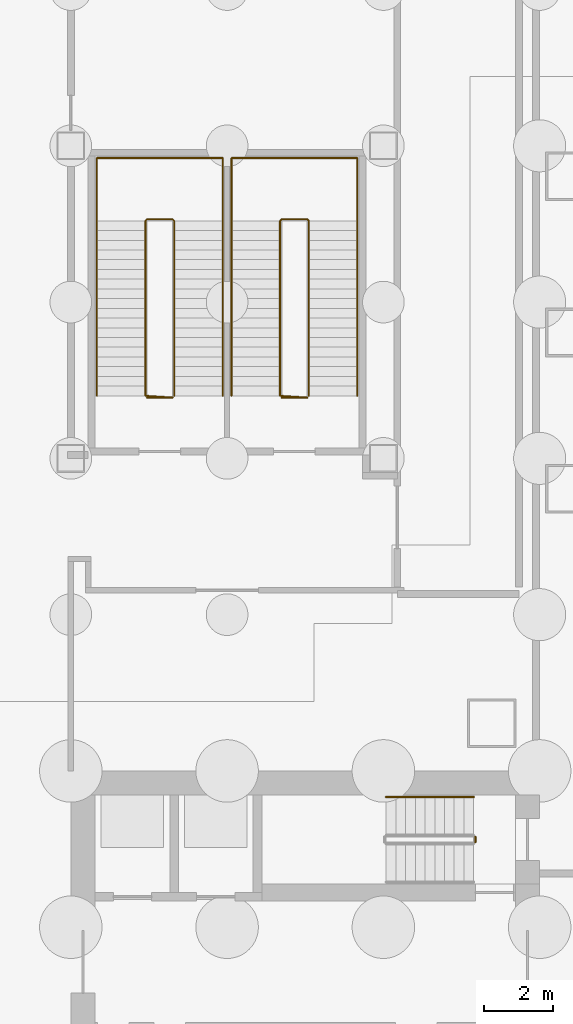
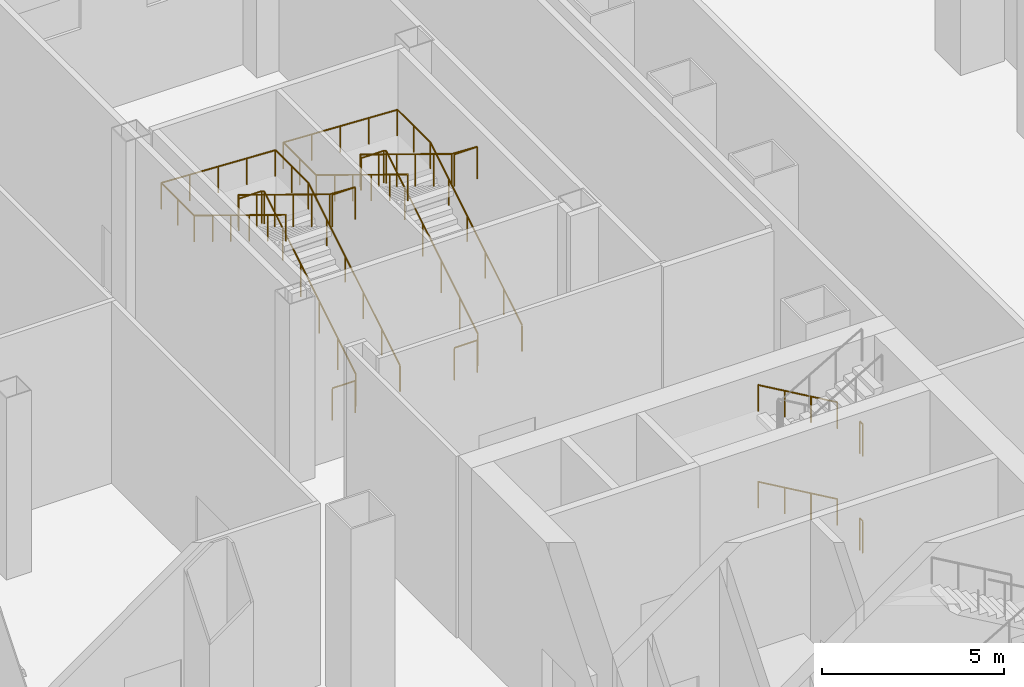
# One storey, part 31 of 37: 10 railings.
"""IFC4 building model written with IfcOpenShell, lengths in metres."""

from ifc_helpers import new_model, si_unit, direction, frame, origin, origin_2d, place, context, subcontext, project, spatial, circle, extrude, material, type_object, element, save


model = new_model("IFC4")

# Units and contexts
model_context = context("Model", 3, precision=1e-05, world=origin(), true_north=direction((0.0, 1.0)))
body_context = subcontext(model_context, "Body", "Model", "MODEL_VIEW")
ifc_project = project(units=[si_unit("LENGTHUNIT", "METRE"), si_unit("AREAUNIT", "SQUARE_METRE"), si_unit("VOLUMEUNIT", "CUBIC_METRE"), si_unit("PLANEANGLEUNIT", "RADIAN"), si_unit("MASSUNIT", "GRAM", prefix="KILO")], contexts=[model_context])

# Site, building, storey
site_placement = place(None, origin())
site = spatial("IfcSite", under=ifc_project, at=site_placement, CompositionType="ELEMENT")
building_placement = place(site_placement, origin())
building = spatial("IfcBuilding", under=site, at=building_placement, Name="Shamsa Quay Exchange Towers", CompositionType="ELEMENT")
storey_placement = place(building_placement, origin())
storey = spatial("IfcBuildingStorey", under=building, at=storey_placement, Name="L00", CompositionType="ELEMENT", Elevation=0.0)

# Railings
ifc_material = material(Name="Stainless steel", Category="steel")
railing_type_1 = type_object("IfcRailingType", Name="STAIR GUARD 1100", PredefinedType="GUARDRAIL", material=ifc_material)
for number, where, name in (
    (1, (-42.35009765625, 4.85009765625, 3.25), "L00 ST3 stair guard 4"),
    (2, (-42.35009765625, 4.85009765625, 0.0), "L00 ST3 stair guard 8"),
):
    element("IfcRailing", number, at=place(storey_placement, frame(where)), inside=storey, type_object=railing_type_1, Name=name, PredefinedType="GUARDRAIL", context=body_context, shape_type="SweptSolid", body=[
        extrude(circle(Radius=0.02392578125, at=origin_2d()), frame((0.0, 0.0, 1.076171875), z_axis=(0.0, -1.0, 0.0), x_axis=(1.0, 0.0, 0.0)), (0.0, 0.0, 1.0), 0.150146484375),
        extrude(circle(Radius=0.02099609375, at=origin_2d()), origin(), (0.0, 0.0, 1.0), 1.052001953125),
        extrude(circle(Radius=0.02099609375, at=origin_2d()), frame((0.0, -0.150146484375, 0.0)), (0.0, 0.0, 1.0), 1.052001953125),
    ])
railing_1_placement = place(storey_placement, frame((-51.02490234375, 17.550048828125, 0.171142578125)))
element("IfcRailing", 3, at=railing_1_placement, inside=storey, type_object=railing_type_1, Name="L00 PS1A stair guard 1", PredefinedType="GUARDRAIL", context=body_context, shape_type="SweptSolid", body=[
    extrude(circle(Radius=0.02392578125, at=origin_2d()), frame((0.0, 0.0, 1.076171875), z_axis=(0.0, 0.853369698388, 0.521306203564), x_axis=(-1.0, 0.0, 0.0)), (0.0, 0.0, 1.0), 5.906005859375),
    extrude(circle(Radius=0.02392578125, at=origin_2d()), frame((0.0, 5.0400390625, 4.15478515625), z_axis=(-0.708833529934, 0.705375805398, 0.0), x_axis=(-0.705375805398, -0.708833529934, 0.0)), (0.0, 0.0, 1.0), 0.070556640625),
    extrude(circle(Radius=0.02392578125, at=origin_2d()), frame((-0.050048828125, 5.08984375, 4.15478515625), z_axis=(-1.0, 0.0, 0.0), x_axis=(0.0, -1.0, 0.0)), (0.0, 0.0, 1.0), 0.72509765625),
    extrude(circle(Radius=0.02392578125, at=origin_2d()), frame((-0.775146484375, 5.08984375, 4.15478515625), z_axis=(-0.270336121127, -0.269017408341, 0.924417662977), x_axis=(0.705375805398, -0.708833529934, 0.0)), (0.0, 0.0, 1.0), 0.18505859375),
    extrude(circle(Radius=0.02392578125, at=origin_2d()), frame((-0.8251953125, 5.0400390625, 4.326171875), z_axis=(0.0, -0.853369698388, 0.521306203564), x_axis=(1.0, 0.0, 0.0)), (0.0, 0.0, 1.0), 5.906005859375),
    extrude(circle(Radius=0.02392578125, at=origin_2d()), frame((-0.8251953125, 0.0, 7.40478515625), z_axis=(0.997922050633, -0.064432762324, 0.0), x_axis=(0.064432762324, 0.997922050633, 0.0)), (0.0, 0.0, 1.0), 0.77685546875),
    extrude(circle(Radius=0.02392578125, at=origin_2d()), frame((-0.050048828125, -0.050048828125, 7.40478515625), z_axis=(-1.0, 0.0, 0.0), x_axis=(0.0, -1.0, 0.0)), (0.0, 0.0, 1.0), 0.72509765625),
    extrude(circle(Radius=0.02099609375, at=origin_2d()), origin(), (0.0, 0.0, 1.0), 1.052001953125),
    extrude(circle(Radius=0.02099609375, at=origin_2d()), frame((0.0, 1.008056640625, 0.61572265625)), (0.0, 0.0, 1.0), 1.052001953125),
    extrude(circle(Radius=0.02099609375, at=origin_2d()), frame((0.0, 2.01611328125, 1.2314453125)), (0.0, 0.0, 1.0), 1.052001953125),
    extrude(circle(Radius=0.02099609375, at=origin_2d()), frame((0.0, 3.02392578125, 1.847412109375)), (0.0, 0.0, 1.0), 1.052001953125),
    extrude(circle(Radius=0.02099609375, at=origin_2d()), frame((0.0, 4.031982421875, 2.463134765625)), (0.0, 0.0, 1.0), 1.052001953125),
    extrude(circle(Radius=0.02099609375, at=origin_2d()), frame((0.0, 5.0400390625, 3.078857421875)), (0.0, 0.0, 1.0), 1.052001953125),
    extrude(circle(Radius=0.02099609375, at=origin_2d()), frame((-0.050048828125, 5.08984375, 3.078857421875)), (0.0, 0.0, 1.0), 1.052001953125),
    extrude(circle(Radius=0.02099609375, at=origin_2d()), frame((-0.775146484375, 5.08984375, 3.078857421875)), (0.0, 0.0, 1.0), 1.052001953125),
    extrude(circle(Radius=0.02099609375, at=origin_2d()), frame((-0.8251953125, 5.0400390625, 3.25)), (0.0, 0.0, 1.0), 1.052001953125),
    extrude(circle(Radius=0.02099609375, at=origin_2d()), frame((-0.8251953125, 4.031982421875, 3.86572265625)), (0.0, 0.0, 1.0), 1.052001953125),
    extrude(circle(Radius=0.02099609375, at=origin_2d()), frame((-0.8251953125, 3.02392578125, 4.4814453125)), (0.0, 0.0, 1.0), 1.052001953125),
    extrude(circle(Radius=0.02099609375, at=origin_2d()), frame((-0.8251953125, 2.01611328125, 5.097412109375)), (0.0, 0.0, 1.0), 1.052001953125),
    extrude(circle(Radius=0.02099609375, at=origin_2d()), frame((-0.8251953125, 1.008056640625, 5.713134765625)), (0.0, 0.0, 1.0), 1.052001953125),
    extrude(circle(Radius=0.02099609375, at=origin_2d()), frame((-0.8251953125, 0.0, 6.328857421875)), (0.0, 0.0, 1.0), 1.052001953125),
    extrude(circle(Radius=0.02099609375, at=origin_2d()), frame((-0.050048828125, -0.050048828125, 6.328857421875)), (0.0, 0.0, 1.0), 1.052001953125),
    extrude(circle(Radius=0.02099609375, at=origin_2d()), frame((-0.775146484375, -0.050048828125, 6.328857421875)), (0.0, 0.0, 1.0), 1.052001953125),
])
railing_2_placement = place(storey_placement, frame((-51.074951171875, 17.5, 0.0)))
element("IfcRailing", 4, at=railing_2_placement, inside=storey, type_object=railing_type_1, Name="L00 PS1A stair guard 2", PredefinedType="GUARDRAIL", context=body_context, shape_type="SweptSolid", body=[
    extrude(circle(Radius=0.02392578125, at=origin_2d()), frame((0.0, 0.0, 1.076171875), z_axis=(-1.0, 0.0, 0.0), x_axis=(0.0, -1.0, 0.0)), (0.0, 0.0, 1.0), 0.72509765625),
    extrude(circle(Radius=0.02099609375, at=origin_2d()), origin(), (0.0, 0.0, 1.0), 1.052001953125),
    extrude(circle(Radius=0.02099609375, at=origin_2d()), frame((-0.72509765625, 0.0, 0.0)), (0.0, 0.0, 1.0), 1.052001953125),
])
railing_3_placement = place(storey_placement, frame((-47.14990234375, 17.550048828125, 0.171142578125)))
element("IfcRailing", 5, at=railing_3_placement, inside=storey, type_object=railing_type_1, Name="L00 PS1B stair guard 1", PredefinedType="GUARDRAIL", context=body_context, shape_type="SweptSolid", body=[
    extrude(circle(Radius=0.02392578125, at=origin_2d()), frame((0.0, 0.0, 1.076171875), z_axis=(0.0, 0.853369698388, 0.521306203564), x_axis=(-1.0, 0.0, 0.0)), (0.0, 0.0, 1.0), 5.906005859375),
    extrude(circle(Radius=0.02392578125, at=origin_2d()), frame((0.0, 5.0400390625, 4.15478515625), z_axis=(-0.708833529934, 0.705375805398, 0.0), x_axis=(-0.705375805398, -0.708833529934, 0.0)), (0.0, 0.0, 1.0), 0.070556640625),
    extrude(circle(Radius=0.02392578125, at=origin_2d()), frame((-0.050048828125, 5.08984375, 4.15478515625), z_axis=(-1.0, 0.0, 0.0), x_axis=(0.0, -1.0, 0.0)), (0.0, 0.0, 1.0), 0.72509765625),
    extrude(circle(Radius=0.02392578125, at=origin_2d()), frame((-0.775146484375, 5.08984375, 4.15478515625), z_axis=(-0.270336121127, -0.269017408341, 0.924417662977), x_axis=(0.705375805398, -0.708833529934, 0.0)), (0.0, 0.0, 1.0), 0.18505859375),
    extrude(circle(Radius=0.02392578125, at=origin_2d()), frame((-0.8251953125, 5.0400390625, 4.326171875), z_axis=(0.0, -0.853369698388, 0.521306203564), x_axis=(1.0, 0.0, 0.0)), (0.0, 0.0, 1.0), 5.906005859375),
    extrude(circle(Radius=0.02392578125, at=origin_2d()), frame((-0.8251953125, 0.0, 7.40478515625), z_axis=(0.997922050633, -0.064432762324, 0.0), x_axis=(0.064432762324, 0.997922050633, 0.0)), (0.0, 0.0, 1.0), 0.77685546875),
    extrude(circle(Radius=0.02392578125, at=origin_2d()), frame((-0.050048828125, -0.050048828125, 7.40478515625), z_axis=(-1.0, 0.0, 0.0), x_axis=(0.0, -1.0, 0.0)), (0.0, 0.0, 1.0), 0.72509765625),
    extrude(circle(Radius=0.02099609375, at=origin_2d()), origin(), (0.0, 0.0, 1.0), 1.052001953125),
    extrude(circle(Radius=0.02099609375, at=origin_2d()), frame((0.0, 1.008056640625, 0.61572265625)), (0.0, 0.0, 1.0), 1.052001953125),
    extrude(circle(Radius=0.02099609375, at=origin_2d()), frame((0.0, 2.01611328125, 1.2314453125)), (0.0, 0.0, 1.0), 1.052001953125),
    extrude(circle(Radius=0.02099609375, at=origin_2d()), frame((0.0, 3.02392578125, 1.847412109375)), (0.0, 0.0, 1.0), 1.052001953125),
    extrude(circle(Radius=0.02099609375, at=origin_2d()), frame((0.0, 4.031982421875, 2.463134765625)), (0.0, 0.0, 1.0), 1.052001953125),
    extrude(circle(Radius=0.02099609375, at=origin_2d()), frame((0.0, 5.0400390625, 3.078857421875)), (0.0, 0.0, 1.0), 1.052001953125),
    extrude(circle(Radius=0.02099609375, at=origin_2d()), frame((-0.050048828125, 5.08984375, 3.078857421875)), (0.0, 0.0, 1.0), 1.052001953125),
    extrude(circle(Radius=0.02099609375, at=origin_2d()), frame((-0.775146484375, 5.08984375, 3.078857421875)), (0.0, 0.0, 1.0), 1.052001953125),
    extrude(circle(Radius=0.02099609375, at=origin_2d()), frame((-0.8251953125, 5.0400390625, 3.25)), (0.0, 0.0, 1.0), 1.052001953125),
    extrude(circle(Radius=0.02099609375, at=origin_2d()), frame((-0.8251953125, 4.031982421875, 3.86572265625)), (0.0, 0.0, 1.0), 1.052001953125),
    extrude(circle(Radius=0.02099609375, at=origin_2d()), frame((-0.8251953125, 3.02392578125, 4.4814453125)), (0.0, 0.0, 1.0), 1.052001953125),
    extrude(circle(Radius=0.02099609375, at=origin_2d()), frame((-0.8251953125, 2.01611328125, 5.097412109375)), (0.0, 0.0, 1.0), 1.052001953125),
    extrude(circle(Radius=0.02099609375, at=origin_2d()), frame((-0.8251953125, 1.008056640625, 5.713134765625)), (0.0, 0.0, 1.0), 1.052001953125),
    extrude(circle(Radius=0.02099609375, at=origin_2d()), frame((-0.8251953125, 0.0, 6.328857421875)), (0.0, 0.0, 1.0), 1.052001953125),
    extrude(circle(Radius=0.02099609375, at=origin_2d()), frame((-0.050048828125, -0.050048828125, 6.328857421875)), (0.0, 0.0, 1.0), 1.052001953125),
    extrude(circle(Radius=0.02099609375, at=origin_2d()), frame((-0.775146484375, -0.050048828125, 6.328857421875)), (0.0, 0.0, 1.0), 1.052001953125),
])
railing_4_placement = place(storey_placement, frame((-47.199951171875, 17.5, 0.0)))
element("IfcRailing", 6, at=railing_4_placement, inside=storey, type_object=railing_type_1, Name="L00 PS1B stair guard 2", PredefinedType="GUARDRAIL", context=body_context, shape_type="SweptSolid", body=[
    extrude(circle(Radius=0.02392578125, at=origin_2d()), frame((0.0, 0.0, 1.076171875), z_axis=(-1.0, 0.0, 0.0), x_axis=(0.0, -1.0, 0.0)), (0.0, 0.0, 1.0), 0.72509765625),
    extrude(circle(Radius=0.02099609375, at=origin_2d()), origin(), (0.0, 0.0, 1.0), 1.052001953125),
    extrude(circle(Radius=0.02099609375, at=origin_2d()), frame((-0.72509765625, 0.0, 0.0)), (0.0, 0.0, 1.0), 1.052001953125),
])
railing_type_2 = type_object("IfcRailingType", Name="STAIR HANDRAIL 900", PredefinedType="HANDRAIL", material=ifc_material)
for number, where, name in (
    (7, (-42.39990234375, 6.0, 0.16259765625), "L00 ST3 stair handrail 1"),
    (8, (-42.39990234375, 6.0, 3.41259765625), "L00 ST3 stair handrail 3"),
):
    element("IfcRailing", number, at=place(storey_placement, frame(where)), inside=storey, type_object=railing_type_2, Name=name, PredefinedType="HANDRAIL", context=body_context, shape_type="SweptSolid", body=[
        extrude(circle(Radius=0.02392578125, at=origin_2d()), frame((0.0, 0.0, 0.8759765625), z_axis=(-0.864913338283, 0.0, 0.50192122615), x_axis=(0.0, -1.0, 0.0)), (0.0, 0.0, 1.0), 2.91357421875),
        extrude(circle(Radius=0.02099609375, at=origin_2d()), origin(), (0.0, 0.0, 1.0), 0.851806640625),
        extrude(circle(Radius=0.02099609375, at=origin_2d()), frame((-0.840087890625, 0.0, 0.487548828125)), (0.0, 0.0, 1.0), 0.851806640625),
        extrude(circle(Radius=0.02099609375, at=origin_2d()), frame((-1.679931640625, 0.0, 0.974853515625)), (0.0, 0.0, 1.0), 0.851806640625),
        extrude(circle(Radius=0.02099609375, at=origin_2d()), frame((-2.52001953125, 0.0, 1.46240234375)), (0.0, 0.0, 1.0), 0.851806640625),
    ])
railing_5_placement = place(storey_placement, frame((-49.625, 17.550048828125, 0.171142578125)))
element("IfcRailing", 9, at=railing_5_placement, inside=storey, type_object=railing_type_2, Name="L00 PS1A stair handrail 1", PredefinedType="HANDRAIL", context=body_context, shape_type="SweptSolid", body=[
    extrude(circle(Radius=0.02392578125, at=origin_2d()), frame((0.0, 0.0, 0.8759765625), z_axis=(0.0, 0.853369698388, 0.521306203564), x_axis=(-1.0, 0.0, 0.0)), (0.0, 0.0, 1.0), 5.906005859375),
    extrude(circle(Radius=0.02392578125, at=origin_2d()), frame((0.0, 5.0400390625, 3.95458984375), z_axis=(0.0, 1.0, 0.0), x_axis=(-1.0, 0.0, 0.0)), (0.0, 0.0, 1.0), 1.809814453125),
    extrude(circle(Radius=0.02392578125, at=origin_2d()), frame((0.0, 6.849853515625, 3.95458984375), z_axis=(-0.998887385161, 0.0, 0.047159217201), x_axis=(0.0, -1.0, 0.0)), (0.0, 0.0, 1.0), 3.629150390625),
    extrude(circle(Radius=0.02392578125, at=origin_2d()), frame((-3.625, 6.849853515625, 4.1259765625), z_axis=(0.0, -1.0, 0.0), x_axis=(1.0, 0.0, 0.0)), (0.0, 0.0, 1.0), 1.809814453125),
    extrude(circle(Radius=0.02392578125, at=origin_2d()), frame((-3.625, 5.0400390625, 4.1259765625), z_axis=(0.0, -0.853369698388, 0.521306203564), x_axis=(1.0, 0.0, 0.0)), (0.0, 0.0, 1.0), 5.906005859375),
    extrude(circle(Radius=0.02099609375, at=origin_2d()), origin(), (0.0, 0.0, 1.0), 0.851806640625),
    extrude(circle(Radius=0.02099609375, at=origin_2d()), frame((0.0, 1.008056640625, 0.61572265625)), (0.0, 0.0, 1.0), 0.851806640625),
    extrude(circle(Radius=0.02099609375, at=origin_2d()), frame((0.0, 2.01611328125, 1.2314453125)), (0.0, 0.0, 1.0), 0.851806640625),
    extrude(circle(Radius=0.02099609375, at=origin_2d()), frame((0.0, 3.02392578125, 1.847412109375)), (0.0, 0.0, 1.0), 0.851806640625),
    extrude(circle(Radius=0.02099609375, at=origin_2d()), frame((0.0, 4.031982421875, 2.463134765625)), (0.0, 0.0, 1.0), 0.851806640625),
    extrude(circle(Radius=0.02099609375, at=origin_2d()), frame((0.0, 5.0400390625, 3.078857421875)), (0.0, 0.0, 1.0), 0.851806640625),
    extrude(circle(Radius=0.02099609375, at=origin_2d()), frame((0.0, 5.94482421875, 3.078857421875)), (0.0, 0.0, 1.0), 0.851806640625),
    extrude(circle(Radius=0.02099609375, at=origin_2d()), frame((0.0, 6.849853515625, 3.078857421875)), (0.0, 0.0, 1.0), 0.851806640625),
    extrude(circle(Radius=0.02099609375, at=origin_2d()), frame((-0.90625, 6.849853515625, 3.12158203125)), (0.0, 0.0, 1.0), 0.851806640625),
    extrude(circle(Radius=0.02099609375, at=origin_2d()), frame((-1.8125, 6.849853515625, 3.16455078125)), (0.0, 0.0, 1.0), 0.851806640625),
    extrude(circle(Radius=0.02099609375, at=origin_2d()), frame((-2.71875, 6.849853515625, 3.207275390625)), (0.0, 0.0, 1.0), 0.851806640625),
    extrude(circle(Radius=0.02099609375, at=origin_2d()), frame((-3.625, 6.849853515625, 3.25)), (0.0, 0.0, 1.0), 0.851806640625),
    extrude(circle(Radius=0.02099609375, at=origin_2d()), frame((-3.625, 5.94482421875, 3.25)), (0.0, 0.0, 1.0), 0.851806640625),
    extrude(circle(Radius=0.02099609375, at=origin_2d()), frame((-3.625, 5.0400390625, 3.25)), (0.0, 0.0, 1.0), 0.851806640625),
    extrude(circle(Radius=0.02099609375, at=origin_2d()), frame((-3.625, 4.031982421875, 3.86572265625)), (0.0, 0.0, 1.0), 0.851806640625),
    extrude(circle(Radius=0.02099609375, at=origin_2d()), frame((-3.625, 3.02392578125, 4.4814453125)), (0.0, 0.0, 1.0), 0.851806640625),
    extrude(circle(Radius=0.02099609375, at=origin_2d()), frame((-3.625, 2.01611328125, 5.097412109375)), (0.0, 0.0, 1.0), 0.851806640625),
    extrude(circle(Radius=0.02099609375, at=origin_2d()), frame((-3.625, 1.008056640625, 5.713134765625)), (0.0, 0.0, 1.0), 0.851806640625),
    extrude(circle(Radius=0.02099609375, at=origin_2d()), frame((-3.625, 0.0, 6.328857421875)), (0.0, 0.0, 1.0), 0.851806640625),
])
railing_6_placement = place(storey_placement, frame((-45.75, 17.550048828125, 0.171142578125)))
element("IfcRailing", 10, at=railing_6_placement, inside=storey, type_object=railing_type_2, Name="L00 PS1B stair handrail 1", PredefinedType="HANDRAIL", context=body_context, shape_type="SweptSolid", body=[
    extrude(circle(Radius=0.02392578125, at=origin_2d()), frame((0.0, 0.0, 0.8759765625), z_axis=(0.0, 0.853369698388, 0.521306203564), x_axis=(-1.0, 0.0, 0.0)), (0.0, 0.0, 1.0), 5.906005859375),
    extrude(circle(Radius=0.02392578125, at=origin_2d()), frame((0.0, 5.0400390625, 3.95458984375), z_axis=(0.0, 1.0, 0.0), x_axis=(-1.0, 0.0, 0.0)), (0.0, 0.0, 1.0), 1.809814453125),
    extrude(circle(Radius=0.02392578125, at=origin_2d()), frame((0.0, 6.849853515625, 3.95458984375), z_axis=(-0.998887385161, 0.0, 0.047159217201), x_axis=(0.0, -1.0, 0.0)), (0.0, 0.0, 1.0), 3.629150390625),
    extrude(circle(Radius=0.02392578125, at=origin_2d()), frame((-3.625, 6.849853515625, 4.1259765625), z_axis=(0.0, -1.0, 0.0), x_axis=(1.0, 0.0, 0.0)), (0.0, 0.0, 1.0), 1.809814453125),
    extrude(circle(Radius=0.02392578125, at=origin_2d()), frame((-3.625, 5.0400390625, 4.1259765625), z_axis=(0.0, -0.853369698388, 0.521306203564), x_axis=(1.0, 0.0, 0.0)), (0.0, 0.0, 1.0), 5.906005859375),
    extrude(circle(Radius=0.02099609375, at=origin_2d()), origin(), (0.0, 0.0, 1.0), 0.851806640625),
    extrude(circle(Radius=0.02099609375, at=origin_2d()), frame((0.0, 1.008056640625, 0.61572265625)), (0.0, 0.0, 1.0), 0.851806640625),
    extrude(circle(Radius=0.02099609375, at=origin_2d()), frame((0.0, 2.01611328125, 1.2314453125)), (0.0, 0.0, 1.0), 0.851806640625),
    extrude(circle(Radius=0.02099609375, at=origin_2d()), frame((0.0, 3.02392578125, 1.847412109375)), (0.0, 0.0, 1.0), 0.851806640625),
    extrude(circle(Radius=0.02099609375, at=origin_2d()), frame((0.0, 4.031982421875, 2.463134765625)), (0.0, 0.0, 1.0), 0.851806640625),
    extrude(circle(Radius=0.02099609375, at=origin_2d()), frame((0.0, 5.0400390625, 3.078857421875)), (0.0, 0.0, 1.0), 0.851806640625),
    extrude(circle(Radius=0.02099609375, at=origin_2d()), frame((0.0, 5.94482421875, 3.078857421875)), (0.0, 0.0, 1.0), 0.851806640625),
    extrude(circle(Radius=0.02099609375, at=origin_2d()), frame((0.0, 6.849853515625, 3.078857421875)), (0.0, 0.0, 1.0), 0.851806640625),
    extrude(circle(Radius=0.02099609375, at=origin_2d()), frame((-0.90625, 6.849853515625, 3.12158203125)), (0.0, 0.0, 1.0), 0.851806640625),
    extrude(circle(Radius=0.02099609375, at=origin_2d()), frame((-1.8125, 6.849853515625, 3.16455078125)), (0.0, 0.0, 1.0), 0.851806640625),
    extrude(circle(Radius=0.02099609375, at=origin_2d()), frame((-2.71875, 6.849853515625, 3.207275390625)), (0.0, 0.0, 1.0), 0.851806640625),
    extrude(circle(Radius=0.02099609375, at=origin_2d()), frame((-3.625, 6.849853515625, 3.25)), (0.0, 0.0, 1.0), 0.851806640625),
    extrude(circle(Radius=0.02099609375, at=origin_2d()), frame((-3.625, 5.94482421875, 3.25)), (0.0, 0.0, 1.0), 0.851806640625),
    extrude(circle(Radius=0.02099609375, at=origin_2d()), frame((-3.625, 5.0400390625, 3.25)), (0.0, 0.0, 1.0), 0.851806640625),
    extrude(circle(Radius=0.02099609375, at=origin_2d()), frame((-3.625, 4.031982421875, 3.86572265625)), (0.0, 0.0, 1.0), 0.851806640625),
    extrude(circle(Radius=0.02099609375, at=origin_2d()), frame((-3.625, 3.02392578125, 4.4814453125)), (0.0, 0.0, 1.0), 0.851806640625),
    extrude(circle(Radius=0.02099609375, at=origin_2d()), frame((-3.625, 2.01611328125, 5.097412109375)), (0.0, 0.0, 1.0), 0.851806640625),
    extrude(circle(Radius=0.02099609375, at=origin_2d()), frame((-3.625, 1.008056640625, 5.713134765625)), (0.0, 0.0, 1.0), 0.851806640625),
    extrude(circle(Radius=0.02099609375, at=origin_2d()), frame((-3.625, 0.0, 6.328857421875)), (0.0, 0.0, 1.0), 0.851806640625),
])

save(model, "model.ifc")
